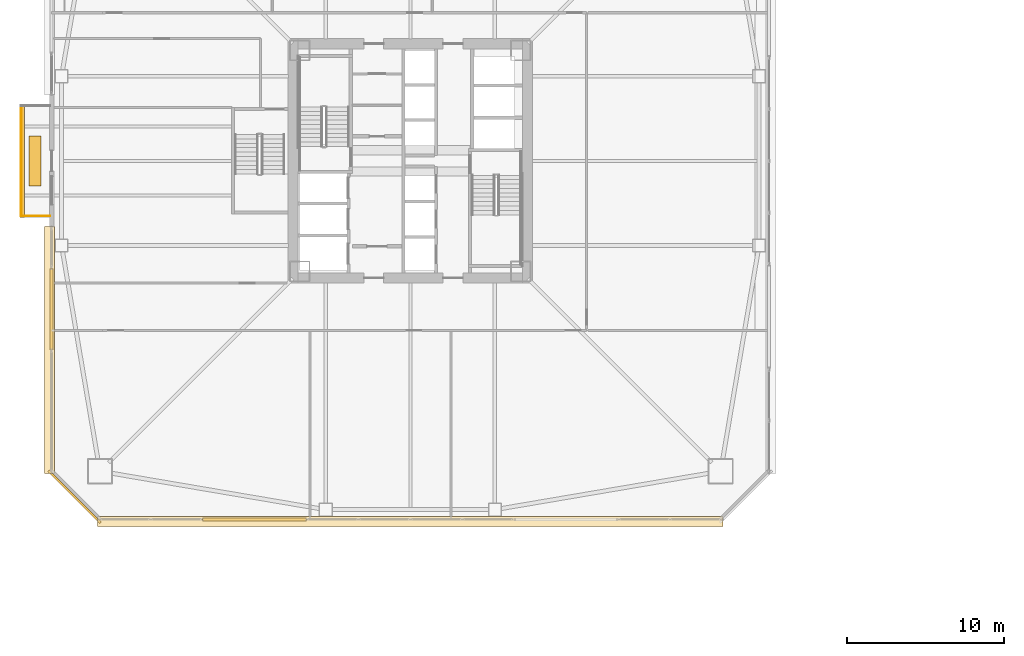
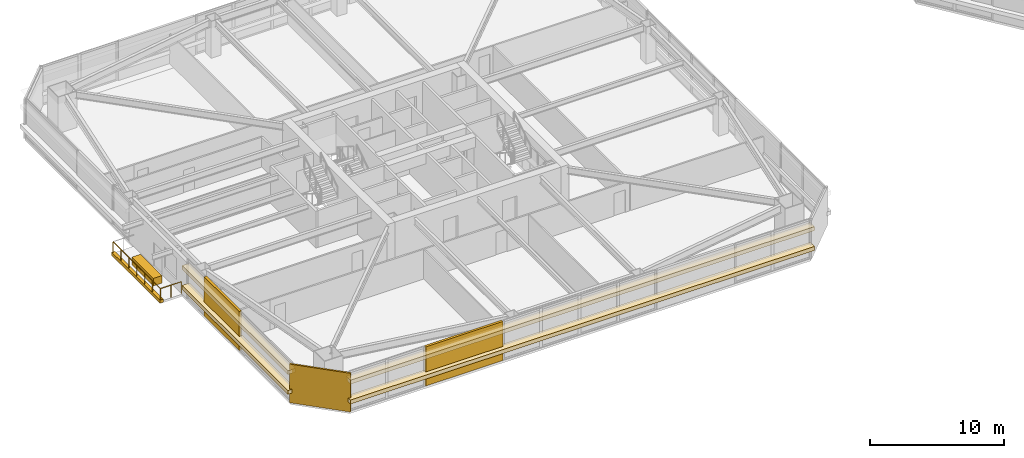
# One storey, part 40 of 47: 9 coverings, 2 railings.
"""IFC4 building model written with IfcOpenShell, lengths in metres."""

from ifc_helpers import new_model, si_unit, direction, frame, origin, origin_2d, place, context, subcontext, project, spatial, rectangle, extrude, material, layer, layer_set, type_object, element, save


model = new_model("IFC4")

# Units and contexts
model_context = context("Model", 3, precision=1e-05, world=origin(), true_north=direction((0.0, 1.0)))
body_context = subcontext(model_context, "Body", "Model", "MODEL_VIEW")
ifc_project = project(units=[si_unit("LENGTHUNIT", "METRE"), si_unit("AREAUNIT", "SQUARE_METRE"), si_unit("VOLUMEUNIT", "CUBIC_METRE"), si_unit("PLANEANGLEUNIT", "RADIAN"), si_unit("MASSUNIT", "GRAM", prefix="KILO")], contexts=[model_context])

# Site, building, storey
site_placement = place(None, origin())
site = spatial("IfcSite", under=ifc_project, at=site_placement, CompositionType="ELEMENT")
building_placement = place(site_placement, origin())
building = spatial("IfcBuilding", under=site, at=building_placement, Name="Tashvorn Skyway Center", CompositionType="ELEMENT")
storey_placement = place(building_placement, frame((0.0, 0.0, 42.35009765625)))
storey = spatial("IfcBuildingStorey", under=building, at=storey_placement, Name="L10", CompositionType="ELEMENT", Elevation=42.35009765625)

# Coverings
ifc_material_1 = material(Name="Precast concrete C40/50", Category="concrete")
ifc_layer_1 = layer(ifc_material_1, 0.199951171875)
ifc_layer_set_1 = layer_set([ifc_layer_1], Name="Precast concrete C40/50")
covering_type_1 = type_object("IfcCoveringType", Name="COV-BRACE-CLAD", PredefinedType="CLADDING", material=ifc_layer_set_1)
covering_1_placement = place(storey_placement, frame((32.06005859375, 9.1201171875, 0.0), z_axis=(0.0, 0.0, 1.0), x_axis=(-1.0, 0.0, 0.0)))
element("IfcCovering", 1, at=covering_1_placement, inside=storey, type_object=covering_type_1, Name="Tower 1 L10 South Unitised Curtain Wall Mega-Brace Cladding Band 2", PredefinedType="CLADDING", context=body_context, shape_type="SweptSolid", body=[
    extrude(rectangle(XDim=6.626708984375, YDim=0.199951171875, at=origin_2d()), origin(), (0.0, 0.0, 1.0), 3.550048828125),
])
covering_2_placement = place(storey_placement, frame((19.1201171875, 22.5400390625, 0.0), z_axis=(0.0, 0.0, 1.0), x_axis=(0.0, 1.0, 0.0)))
element("IfcCovering", 2, at=covering_2_placement, inside=storey, type_object=covering_type_1, Name="Tower 1 L10 West Curtain Wall L Mega-Brace Cladding Band 1", PredefinedType="CLADDING", context=body_context, shape_type="SweptSolid", body=[
    extrude(rectangle(XDim=5.2099609375, YDim=0.199951171875, at=origin_2d()), origin(), (0.0, 0.0, 1.0), 3.550048828125),
])
ifc_material_2 = material(Name="Perforated ceramic-coated bronze aluminium solar screen", Category="aluminium")
ifc_layer_2 = layer(ifc_material_2, 0.85009765625)
ifc_layer_set_2 = layer_set([ifc_layer_2], Name="Perforated ceramic-coated bronze aluminium solar screen")
covering_type_2 = type_object("IfcCoveringType", Name="COV-SOLAR-BAND", PredefinedType="CLADDING", material=ifc_layer_set_2)
for number, where, z_axis, x_axis, name in (
    (3, (42.0, 8.97998046875, 0.919921875), (0.0, 0.0, 1.0), (-1.0, 0.0, 0.0), "L10 Perforated Ceramic-Metal Solar Screen Louvre Band South 1"),
    (4, (42.0, 8.97998046875, 2.7197265625), (0.0, 0.0, 1.0), (-1.0, 0.0, 0.0), "L10 Perforated Ceramic-Metal Solar Screen Louvre Band South 2"),
):
    element("IfcCovering", number, at=place(storey_placement, frame(where, z_axis=z_axis, x_axis=x_axis)), inside=storey, type_object=covering_type_2, Name=name, PredefinedType="CLADDING", context=body_context, shape_type="SweptSolid", body=[
        extrude(rectangle(XDim=39.8798828125, YDim=0.639892578125, at=origin_2d()), origin(), (0.0, 0.0, 1.0), 0.360107421875),
    ])
for number, where, z_axis, x_axis, name in (
    (5, (18.97998046875, 19.93505859375, 0.919921875), (0.0, 0.0, 1.0), (0.0, 1.0, 0.0), "L10 Perforated Ceramic-Metal Solar Screen Louvre Band West 1"),
    (6, (18.97998046875, 19.93505859375, 2.7197265625), (0.0, 0.0, 1.0), (0.0, 1.0, 0.0), "L10 Perforated Ceramic-Metal Solar Screen Louvre Band West 2"),
):
    element("IfcCovering", number, at=place(storey_placement, frame(where, z_axis=z_axis, x_axis=x_axis)), inside=storey, type_object=covering_type_2, Name=name, PredefinedType="CLADDING", context=body_context, shape_type="SweptSolid", body=[
        extrude(rectangle(XDim=15.75, YDim=0.639892578125, at=origin_2d()), origin(), (0.0, 0.0, 1.0), 0.360107421875),
    ])
ifc_layer_3 = layer(ifc_material_1, 0.35009765625)
ifc_layer_set_3 = layer_set([ifc_layer_3], Name="Precast concrete C40/50")
covering_type_3 = type_object("IfcCoveringType", Name="COV-STONE-TRIM", PredefinedType="CLADDING", material=ifc_layer_set_3)
covering_3_placement = place(storey_placement, frame((17.239990234375, 32.0, -0.16015625), z_axis=(0.0, 0.0, 1.0), x_axis=(0.0, 1.0, 0.0)))
element("IfcCovering", 7, at=covering_3_placement, inside=storey, type_object=covering_type_3, Name="Tower 1 L10 Spiral Terrace Terracotta Fascia", PredefinedType="CLADDING", context=body_context, shape_type="SweptSolid", body=[
    extrude(rectangle(XDim=7.199951171875, YDim=0.280029296875, at=origin_2d()), origin(), (0.0, 0.0, 1.0), 0.280029296875),
])
covering_4_placement = place(storey_placement, frame((18.050048828125, 32.0, 0.0), z_axis=(0.0, 0.0, 1.0), x_axis=(0.0, 1.0, 0.0)))
element("IfcCovering", 8, at=covering_4_placement, inside=storey, type_object=covering_type_3, Name="Tower 1 L10 Spiral Terrace Planter", PredefinedType="CLADDING", context=body_context, shape_type="SweptSolid", body=[
    extrude(rectangle(XDim=3.199951171875, YDim=0.75, at=origin_2d()), origin(), (0.0, 0.0, 1.0), 0.679931640625),
])
covering_5_placement = place(storey_placement, frame((20.580078125, 10.580078125, 0.02001953125), z_axis=(0.0, 0.0, 1.0), x_axis=(-0.707106781187, 0.707106781187, 0.0)))
element("IfcCovering", 9, at=covering_5_placement, inside=storey, type_object=covering_type_3, Name="Tower 1 L10 SW Mojave Limestone Corner Quoin", PredefinedType="CLADDING", context=body_context, shape_type="SweptSolid", body=[
    extrude(rectangle(XDim=4.685546875, YDim=0.139892578125, at=origin_2d()), origin(), (0.0, 0.0, 1.0), 3.510009765625),
])

# Railings
ifc_material_3 = material(Name="Galvanized steel S355", Category="steel")
railing_type = type_object("IfcRailingType", Name="RAIL-GUARD-1120", PredefinedType="GUARDRAIL", material=ifc_material_3)
railing_1_placement = place(storey_placement, frame((19.0, 28.47998046875, 0.0)))
element("IfcRailing", 10, at=railing_1_placement, inside=storey, type_object=railing_type, Name="L10 Tower 1 Terrace Guardrail 01", PredefinedType="GUARDRAIL", context=body_context, shape_type="SweptSolid", body=[
    extrude(rectangle(XDim=0.048095703125, YDim=0.048095703125, at=origin_2d()), frame((0.0, 0.0, 1.09619140625), z_axis=(-1.0, 0.0, 0.0), x_axis=(0.0, -1.0, 0.0)), (0.0, 0.0, 1.0), 1.820068359375),
    extrude(rectangle(XDim=0.0419921875, YDim=0.0419921875, at=origin_2d()), origin(), (0.0, 0.0, 1.0), 1.072021484375),
    extrude(rectangle(XDim=0.0419921875, YDim=0.0419921875, at=origin_2d()), frame((-0.91015625, 0.0, 0.0)), (0.0, 0.0, 1.0), 1.072021484375),
    extrude(rectangle(XDim=0.0419921875, YDim=0.0419921875, at=origin_2d()), frame((-1.820068359375, 0.0, 0.0)), (0.0, 0.0, 1.0), 1.072021484375),
])
railing_2_placement = place(storey_placement, frame((17.179931640625, 28.47998046875, 0.0)))
element("IfcRailing", 11, at=railing_2_placement, inside=storey, type_object=railing_type, Name="L10 Tower 1 Terrace Guardrail 02", PredefinedType="GUARDRAIL", context=body_context, shape_type="SweptSolid", body=[
    extrude(rectangle(XDim=0.048095703125, YDim=0.048095703125, at=origin_2d()), frame((0.0, 0.0, 1.09619140625), z_axis=(0.0, 1.0, 0.0), x_axis=(-1.0, 0.0, 0.0)), (0.0, 0.0, 1.0), 7.0400390625),
    extrude(rectangle(XDim=0.0419921875, YDim=0.0419921875, at=origin_2d()), origin(), (0.0, 0.0, 1.0), 1.072021484375),
    extrude(rectangle(XDim=0.0419921875, YDim=0.0419921875, at=origin_2d()), frame((0.0, 1.17333984375, 0.0)), (0.0, 0.0, 1.0), 1.072021484375),
    extrude(rectangle(XDim=0.0419921875, YDim=0.0419921875, at=origin_2d()), frame((0.0, 2.3466796875, 0.0)), (0.0, 0.0, 1.0), 1.072021484375),
    extrude(rectangle(XDim=0.0419921875, YDim=0.0419921875, at=origin_2d()), frame((0.0, 3.52001953125, 0.0)), (0.0, 0.0, 1.0), 1.072021484375),
    extrude(rectangle(XDim=0.0419921875, YDim=0.0419921875, at=origin_2d()), frame((0.0, 4.693359375, 0.0)), (0.0, 0.0, 1.0), 1.072021484375),
    extrude(rectangle(XDim=0.0419921875, YDim=0.0419921875, at=origin_2d()), frame((0.0, 5.86669921875, 0.0)), (0.0, 0.0, 1.0), 1.072021484375),
    extrude(rectangle(XDim=0.0419921875, YDim=0.0419921875, at=origin_2d()), frame((0.0, 7.0400390625, 0.0)), (0.0, 0.0, 1.0), 1.072021484375),
])

save(model, "model.ifc")
